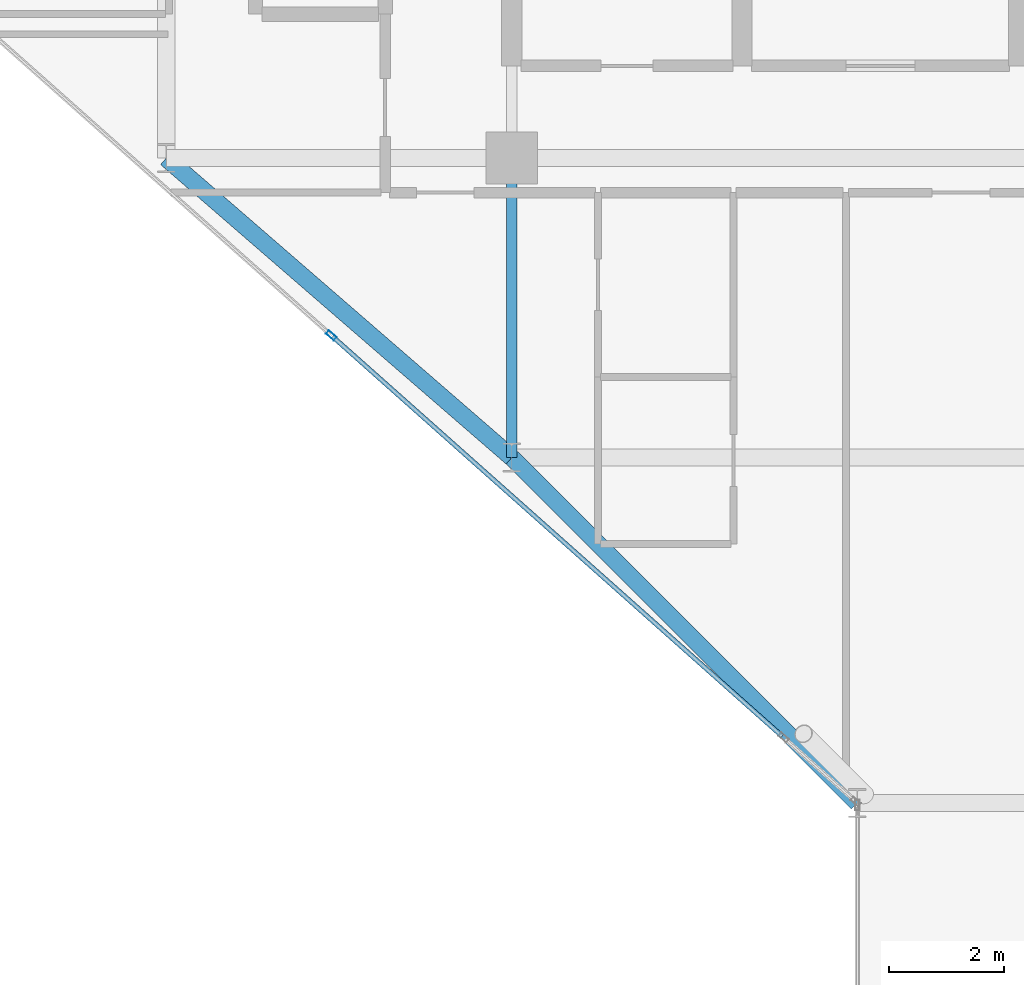
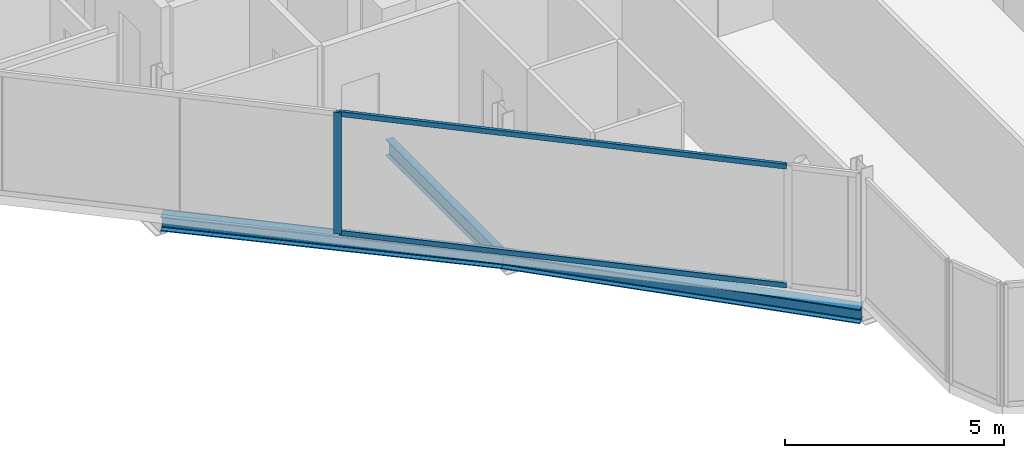
# One storey, part 4 of 32: 3 beams, 3 members, 1 element without a shape of its own.
"""IFC4 building model written with IfcOpenShell, lengths in metres."""

from ifc_helpers import new_model, si_unit, direction, frame, origin, origin_2d, place, context, subcontext, project, spatial, hollow_rectangle, i_section, extrude, material, layer, layer_set, material_profile, profile_set, type_object, element, aggregate, save


model = new_model("IFC4")

# Units and contexts
model_context = context("Model", 3, precision=1e-05, world=origin(), true_north=direction((0.0, 1.0)))
body_context = subcontext(model_context, "Body", "Model", "MODEL_VIEW")
ifc_project = project(units=[si_unit("LENGTHUNIT", "METRE"), si_unit("AREAUNIT", "SQUARE_METRE"), si_unit("VOLUMEUNIT", "CUBIC_METRE"), si_unit("PLANEANGLEUNIT", "RADIAN"), si_unit("MASSUNIT", "GRAM", prefix="KILO")], contexts=[model_context])

# Site, building, storey
site_placement = place(None, origin())
site = spatial("IfcSite", under=ifc_project, at=site_placement, CompositionType="ELEMENT")
building_placement = place(site_placement, origin())
building = spatial("IfcBuilding", under=site, at=building_placement, Name="Keshet Zoharim Tower", CompositionType="ELEMENT")
storey_placement = place(building_placement, frame((0.0, 0.0, 137.199951171875)))
storey = spatial("IfcBuildingStorey", under=building, at=storey_placement, Name="L33", CompositionType="ELEMENT", Elevation=137.199951171875)

# Beams
ifc_material_1 = material(Name="Steel S355", Category="steel")
ifc_material_profile_1 = material_profile(ifc_material_1, i_section(OverallWidth=0.18994140625, OverallDepth=0.449951171875, WebThickness=0.009521484375, FlangeThickness=0.0146484375, FilletRadius=0.02099609375, at=origin_2d()), Name="IPE450")
ifc_profile_set_1 = profile_set([ifc_material_profile_1], Name="Steel S355")
beam_type_1 = type_object("IfcBeamType", Name="BM-PRI-IP450", PredefinedType="BEAM", material=ifc_profile_set_1)
beam_1_placement = place(storey_placement, frame((15.0, 12.699951171875, -0.5400390625), z_axis=(0.0, 1.0, 0.0), x_axis=(-1.0, 0.0, 0.0)))
element("IfcBeam", 1, at=beam_1_placement, inside=storey, type_object=beam_type_1, Name="L33 Primary Girder Y-002", PredefinedType="BEAM", context=body_context, shape_type="SweptSolid", body=[
    extrude(i_section(OverallWidth=0.18994140625, OverallDepth=0.449951171875, WebThickness=0.009521484375, FlangeThickness=0.0146484375, FilletRadius=0.02099609375, at=origin_2d()), origin(), (0.0, 0.0, 1.0), 5.199951171875),
])
ifc_material_profile_2 = material_profile(ifc_material_1, i_section(OverallWidth=0.300048828125, OverallDepth=0.39990234375, WebThickness=0.013427734375, FlangeThickness=0.02392578125, FilletRadius=0.027099609375, at=origin_2d()), Name="HEB400")
ifc_profile_set_2 = profile_set([ifc_material_profile_2], Name="Steel S355")
beam_type_2 = type_object("IfcBeamType", Name="BM-SPN-HB400", PredefinedType="SPANDREL", material=ifc_profile_set_2)
beam_2_placement = place(storey_placement, frame((21.0, 6.699951171875, -0.514892578125), z_axis=(-0.707106781187, 0.707106781187, 0.0), x_axis=(-0.707106781187, -0.707106781187, 0.0)))
element("IfcBeam", 2, at=beam_2_placement, inside=storey, type_object=beam_type_2, Name="L33 Perimeter Spandrel Beam 01", PredefinedType="SPANDREL", context=body_context, shape_type="SweptSolid", body=[
    extrude(i_section(OverallWidth=0.300048828125, OverallDepth=0.39990234375, WebThickness=0.013427734375, FlangeThickness=0.02392578125, FilletRadius=0.027099609375, at=origin_2d()), origin(), (0.0, 0.0, 1.0), 8.4853515625),
])
beam_3_placement = place(storey_placement, frame((9.0, 17.89990234375, -0.514892578125), z_axis=(0.755692126483, -0.654927026447, 0.0), x_axis=(0.654927026447, 0.755692126483, 0.0)))
element("IfcBeam", 3, at=beam_3_placement, inside=storey, type_object=beam_type_2, Name="L33 Perimeter Spandrel Beam 02", PredefinedType="SPANDREL", context=body_context, shape_type="SweptSolid", body=[
    extrude(i_section(OverallWidth=0.300048828125, OverallDepth=0.39990234375, WebThickness=0.013427734375, FlangeThickness=0.02392578125, FilletRadius=0.027099609375, at=origin_2d()), origin(), (0.0, 0.0, 1.0), 7.939697265625),
])

# Curtain wall, members
ifc_material_2 = material(Name="Aluminium 6063-T6", Category="aluminium")
ifc_layer = layer(ifc_material_2, 0.159912109375)
ifc_layer_set = layer_set([ifc_layer], Name="Aluminium 6063-T6")
curtain_wall_type = type_object("IfcCurtainWallType", Name="CW-SYS-03", PredefinedType="NOTDEFINED", material=ifc_layer_set)
curtain_wall_placement = place(storey_placement, origin())
curtain_wall = element("IfcCurtainWall", 4, at=curtain_wall_placement, inside=storey, type_object=curtain_wall_type, Name="L33 Unitised Curtain Wall 07 Part 2", PredefinedType="NOTDEFINED")
ifc_material_profile_3 = material_profile(ifc_material_2, hollow_rectangle(XDim=0.080078125, YDim=0.179931640625, WallThickness=0.00439453125, at=origin_2d()), Name="MUL-80x180")
ifc_profile_set_3 = profile_set([ifc_material_profile_3], Name="Aluminium 6063-T6")
member_type_1 = type_object("IfcMemberType", Name="CWM-M18", PredefinedType="MULLION", material=ifc_profile_set_3)
member_1_placement = place(storey_placement, frame((11.864990234375, 14.820068359375, 0.0), z_axis=(0.0, 0.0, 1.0), x_axis=(-0.664363542589, -0.747409582009, 0.0)))
member_1 = element("IfcMember", 5, at=member_1_placement, type_object=member_type_1, Name="CW-03 mullion 2", PredefinedType="MULLION", context=body_context, shape_type="SweptSolid", body=[
    extrude(hollow_rectangle(XDim=0.080078125, YDim=0.179931640625, WallThickness=0.00439453125, at=origin_2d()), origin(), (0.0, 0.0, 1.0), 3.385009765625),
])
ifc_material_profile_4 = material_profile(ifc_material_2, hollow_rectangle(XDim=0.080078125, YDim=0.139892578125, WallThickness=0.00390625, at=origin_2d()), Name="TRN-80x140")
ifc_profile_set_4 = profile_set([ifc_material_profile_4], Name="Aluminium 6063-T6")
member_type_2 = type_object("IfcMemberType", Name="CWT-T14", PredefinedType="USERDEFINED", material=ifc_profile_set_4)
member_2_placement = place(storey_placement, frame((19.69482421875, 7.860107421875, 0.03515625), z_axis=(-0.747402868264, 0.664371095482, 0.0), x_axis=(-0.664371095482, -0.747402868264, 0.0)))
member_2 = element("IfcMember", 6, at=member_2_placement, type_object=member_type_2, Name="CW-03 transom 1.1", ObjectType="TRANSOM", PredefinedType="USERDEFINED", context=body_context, shape_type="SweptSolid", body=[
    extrude(hollow_rectangle(XDim=0.080078125, YDim=0.139892578125, WallThickness=0.00390625, at=origin_2d()), origin(), (0.0, 0.0, 1.0), 10.441162109375),
])
member_3_placement = place(storey_placement, frame((19.69482421875, 7.860107421875, 3.35009765625), z_axis=(-0.747402868264, 0.664371095482, 0.0), x_axis=(-0.664371095482, -0.747402868264, 0.0)))
member_3 = element("IfcMember", 7, at=member_3_placement, type_object=member_type_2, Name="CW-03 transom 1.2", ObjectType="TRANSOM", PredefinedType="USERDEFINED", context=body_context, shape_type="SweptSolid", body=[
    extrude(hollow_rectangle(XDim=0.080078125, YDim=0.139892578125, WallThickness=0.00390625, at=origin_2d()), origin(), (0.0, 0.0, 1.0), 10.441162109375),
])
aggregate(curtain_wall, [member_1, member_2, member_3])

save(model, "model.ifc")
